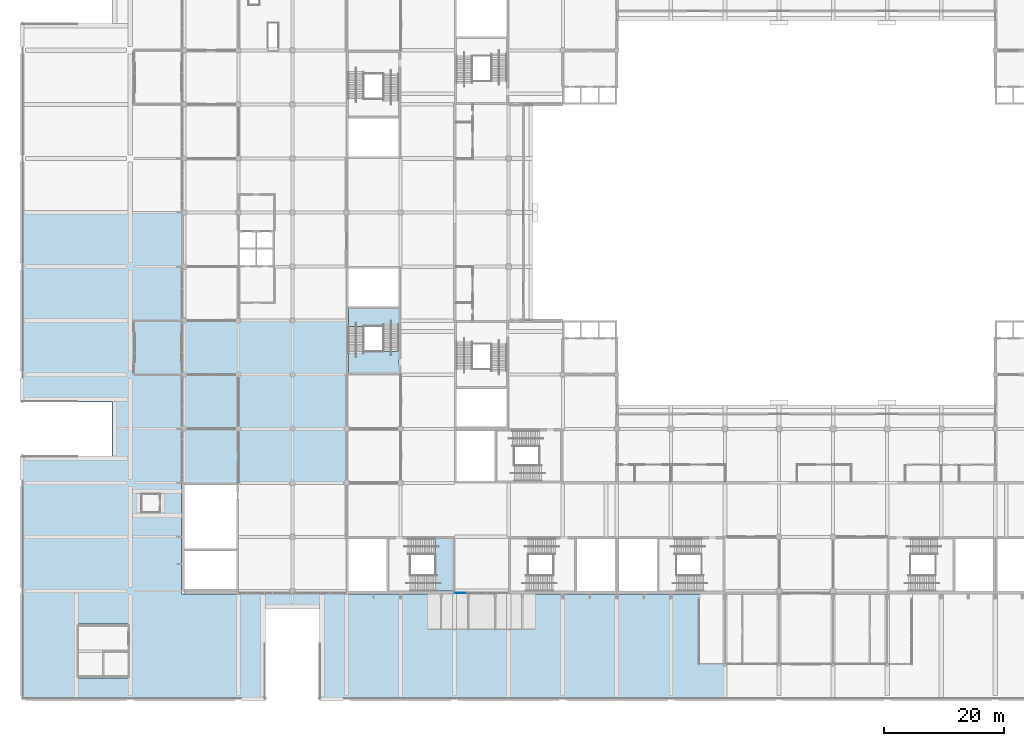
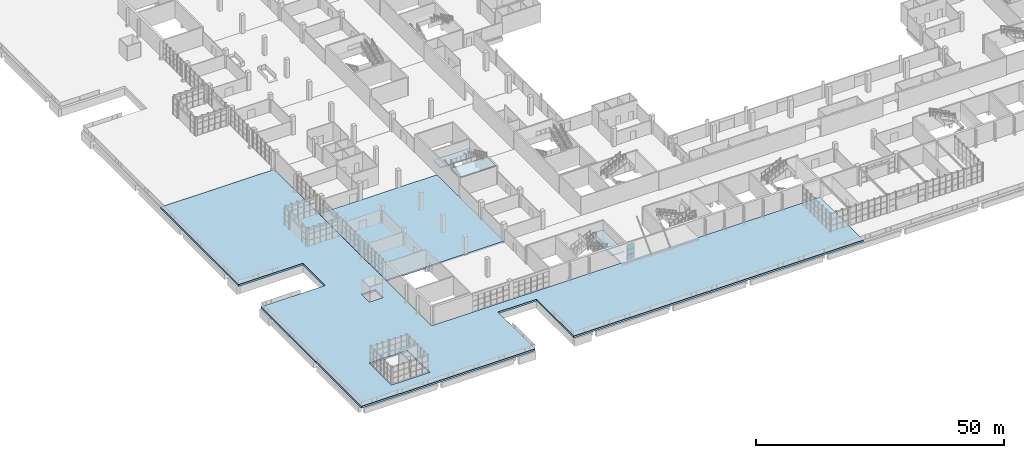
# One storey, part 77 of 168: 5 slabs, 3 plates, 3 elements without a shape of their own.
"""IFC4 building model written with IfcOpenShell, lengths in metres."""

from ifc_helpers import new_model, si_unit, direction, frame, origin, origin_2d, place, context, subcontext, project, spatial, polyline, rectangle, outline, extrude, material, layer, layer_set, type_object, element, aggregate, save


model = new_model("IFC4")

# Units and contexts
model_context = context("Model", 3, precision=1e-05, world=origin(), true_north=direction((0.0, 1.0)))
body_context = subcontext(model_context, "Body", "Model", "MODEL_VIEW")
ifc_project = project(units=[si_unit("LENGTHUNIT", "METRE"), si_unit("AREAUNIT", "SQUARE_METRE"), si_unit("VOLUMEUNIT", "CUBIC_METRE"), si_unit("PLANEANGLEUNIT", "RADIAN"), si_unit("MASSUNIT", "GRAM", prefix="KILO")], contexts=[model_context])

# Site, building, storey
site_placement = place(None, origin())
site = spatial("IfcSite", under=ifc_project, at=site_placement, CompositionType="ELEMENT")
building_placement = place(site_placement, origin())
building = spatial("IfcBuilding", under=site, at=building_placement, Name="Silverbay Arena", CompositionType="ELEMENT")
storey_placement = place(building_placement, frame((0.0, 0.0, 7.0)))
storey = spatial("IfcBuildingStorey", under=building, at=storey_placement, Name="L01", CompositionType="ELEMENT", Elevation=7.0)

# Curtain wall, plates
ifc_material_1 = material(Name="Aluminium framed curtain wall", Category="aluminium")
curtain_wall_type = type_object("IfcCurtainWallType", Name="Curtain wall 1950 x 3900", PredefinedType="NOTDEFINED", material=ifc_material_1)
curtain_wall_placement = place(storey_placement, origin())
curtain_wall = element("IfcCurtainWall", 1, at=curtain_wall_placement, inside=storey, type_object=curtain_wall_type, Name="South curtain wall L01 bay 6", PredefinedType="NOTDEFINED")
ifc_material_2 = material(Name="Laminated glass", Category="glass")
ifc_layer_1 = layer(ifc_material_2, 0.028076171875)
ifc_layer_set_1 = layer_set([ifc_layer_1], Name="Laminated glass")
plate_type = type_object("IfcPlateType", Name="Glass panel 28", PredefinedType="CURTAIN_PANEL", material=ifc_layer_set_1)
plate_1_placement = place(storey_placement, frame((72.97509765625, 17.669921875, 0.050048828125), z_axis=(0.0, 0.0, 1.0), x_axis=(1.0, 0.0, 0.0)))
plate_1 = element("IfcPlate", 2, at=plate_1_placement, type_object=plate_type, Name="CW2 panel 1.1", PredefinedType="CURTAIN_PANEL", context=body_context, shape_type="SweptSolid", body=[
    extrude(rectangle(XDim=1.830078125, YDim=0.028076171875, at=origin_2d()), origin(), (0.0, 0.0, 1.0), 1.22509765625),
])
plate_2_placement = place(storey_placement, frame((72.97509765625, 17.669921875, 1.324951171875), z_axis=(0.0, 0.0, 1.0), x_axis=(1.0, 0.0, 0.0)))
plate_2 = element("IfcPlate", 3, at=plate_2_placement, type_object=plate_type, Name="CW2 panel 1.2", PredefinedType="CURTAIN_PANEL", context=body_context, shape_type="SweptSolid", body=[
    extrude(rectangle(XDim=1.830078125, YDim=0.028076171875, at=origin_2d()), origin(), (0.0, 0.0, 1.0), 1.25),
])
plate_3_placement = place(storey_placement, frame((72.97509765625, 17.669921875, 2.625), z_axis=(0.0, 0.0, 1.0), x_axis=(1.0, 0.0, 0.0)))
plate_3 = element("IfcPlate", 4, at=plate_3_placement, type_object=plate_type, Name="CW2 panel 1.3", PredefinedType="CURTAIN_PANEL", context=body_context, shape_type="SweptSolid", body=[
    extrude(rectangle(XDim=1.830078125, YDim=0.028076171875, at=origin_2d()), origin(), (0.0, 0.0, 1.0), 1.22509765625),
])
aggregate(curtain_wall, [plate_1, plate_2, plate_3])

# Slabs
ifc_material_3 = material(Name="Concrete Grade C45", Category="concrete")
ifc_layer_2 = layer(ifc_material_3, 0.35009765625)
ifc_layer_set_2 = layer_set([ifc_layer_2], Name="Concrete Grade C45")
slab_type_1 = type_object("IfcSlabType", Name="RC floor slab 350", PredefinedType="FLOOR", material=ifc_layer_set_2)
slab_1_placement = place(storey_placement, frame((0.0, 0.0, -0.35009765625)))
element("IfcSlab", 5, at=slab_1_placement, inside=storey, type_object=slab_type_1, Name="Floor slab L01 unit 6", PredefinedType="FLOOR", context=body_context, shape_type="SweptSolid", body=[
    extrude(outline(polyline([(54.300048828125, 54.60009765625), (54.300048828125, 54.0), (54.0, 54.0), (54.0, 35.97509765625), (36.0, 35.97509765625), (36.0, 36.0), (27.0, 36.0), (27.0, 35.97509765625), (26.5, 35.97509765625), (26.5, 62.97509765625), (54.0, 62.97509765625), (54.0, 54.60009765625), (54.300048828125, 54.60009765625)])), origin(), (0.0, 0.0, 1.0), 0.35009765625),
])
ifc_material_4 = material(Name="Concrete Grade C45", Category="concrete")
ifc_layer_3 = layer(ifc_material_4, 0.449951171875)
ifc_layer_set_3 = layer_set([ifc_layer_3], Name="Concrete Grade C45")
slab_type_2 = type_object("IfcSlabType", Name="RC plaza deck slab 450", PredefinedType="FLOOR", material=ifc_layer_set_3)
slab_2_placement = place(storey_placement, frame((0.0, 0.0, -0.449951171875)))
element("IfcSlab", 6, at=slab_2_placement, inside=storey, type_object=slab_type_2, Name="Floor slab L01 unit 1 B", PredefinedType="FLOOR", context=body_context, shape_type="SweptSolid", body=[
    extrude(outline(polyline([(26.5, 17.5), (117.0, 17.5), (117.0, 0.0), (49.5, 0.0), (49.5, 15.0), (40.5, 15.0), (40.5, 0.0), (0.0, 0.0), (0.0, 40.5), (15.0, 40.5), (15.0, 49.5), (0.0, 49.5), (0.0, 81.0), (26.5, 81.0), (26.5, 17.5)]), holes=[polyline([(19.800048828125, 31.0), (23.0, 31.0), (23.0, 34.199951171875), (19.800048828125, 34.199951171875), (19.800048828125, 31.0)]), polyline([(18.0, 3.5), (18.0, 12.5), (9.0, 12.5), (9.0, 3.5), (18.0, 3.5)])]), origin(), (0.0, 0.0, 1.0), 0.449951171875),
])

# Stair, slab
ifc_material_5 = material(Name="Concrete Grade C45", Category="concrete")
stair_type = type_object("IfcStairType", Name="Stair 2600 wide 32 risers 140.6 x 300", PredefinedType="HALF_TURN_STAIR", material=ifc_material_5)
stair_1_placement = place(storey_placement, origin())
stair_1 = element("IfcStair", 7, at=stair_1_placement, inside=storey, type_object=stair_type, Name="Stair ST-S5 L01 to L02", PredefinedType="HALF_TURN_STAIR")
ifc_material_6 = material(Name="Concrete Grade C45", Category="concrete")
ifc_layer_4 = layer(ifc_material_6, 0.25)
ifc_layer_set_4 = layer_set([ifc_layer_4], Name="Concrete Grade C45")
slab_type_3 = type_object("IfcSlabType", Name="Stair landing RC 250", PredefinedType="LANDING", material=ifc_layer_set_4)
slab_3_placement = place(storey_placement, frame((0.0, 0.0, 2.0)))
slab_3 = element("IfcSlab", 8, at=slab_3_placement, type_object=slab_type_3, Name="Stair ST-S5 L01 to L02 landing 1", PredefinedType="LANDING", context=body_context, shape_type="SweptSolid", body=[
    extrude(outline(polyline([(68.74658203125, 26.699951171875), (71.699951171875, 26.699951171875), (71.699951171875, 18.0), (68.74658203125, 18.0), (68.74658203125, 26.699951171875)])), origin(), (0.0, 0.0, 1.0), 0.25),
])
aggregate(stair_1, [slab_3])

# Stair, slabs
stair_2_placement = place(storey_placement, origin())
stair_2 = element("IfcStair", 9, at=stair_2_placement, inside=storey, type_object=stair_type, Name="Stair ST-W1 L01 to L02", PredefinedType="HALF_TURN_STAIR")
slab_4_placement = place(storey_placement, frame((0.0, 0.0, 2.0)))
slab_4 = element("IfcSlab", 10, at=slab_4_placement, type_object=slab_type_3, Name="Stair ST-W1 L01 to L02 landing 1", PredefinedType="LANDING", context=body_context, shape_type="SweptSolid", body=[
    extrude(outline(polyline([(62.699951171875, 62.046630859375), (62.699951171875, 65.0), (54.300048828125, 65.0), (54.300048828125, 62.046630859375), (62.699951171875, 62.046630859375)])), origin(), (0.0, 0.0, 1.0), 0.25),
])
slab_5_placement = place(storey_placement, frame((0.0, 0.0, 4.25)))
slab_5 = element("IfcSlab", 11, at=slab_5_placement, type_object=slab_type_3, Name="Stair ST-W1 L01 to L02 landing 2", PredefinedType="LANDING", context=body_context, shape_type="SweptSolid", body=[
    extrude(outline(polyline([(62.699951171875, 54.300048828125), (62.699951171875, 57.89990234375), (54.300048828125, 57.89990234375), (54.300048828125, 54.300048828125), (62.699951171875, 54.300048828125)])), origin(), (0.0, 0.0, 1.0), 0.25),
])
aggregate(stair_2, [slab_4, slab_5])

save(model, "model.ifc")
